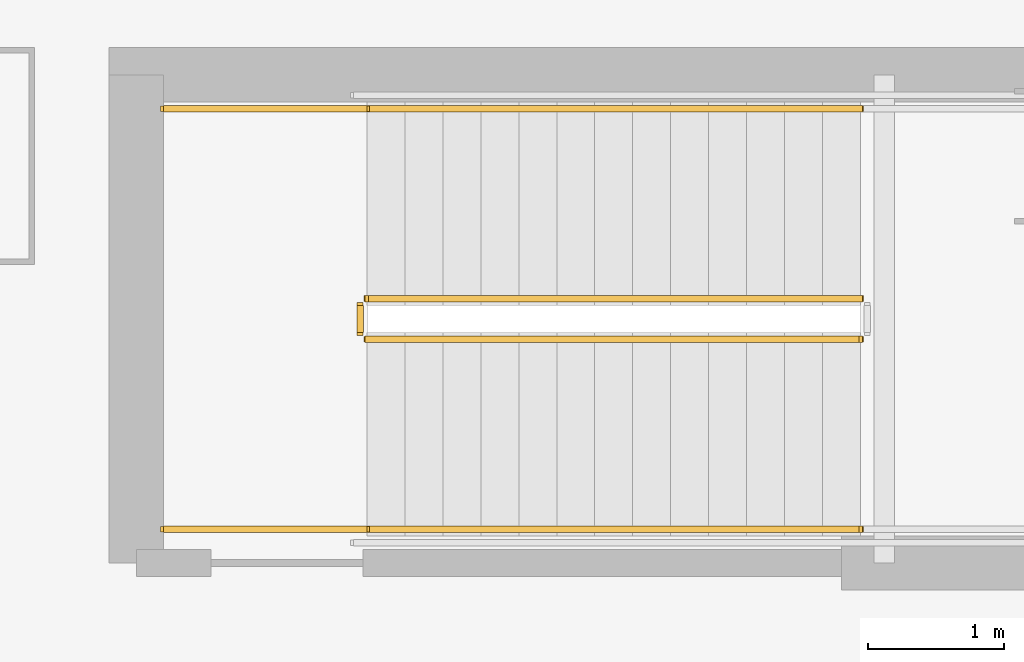
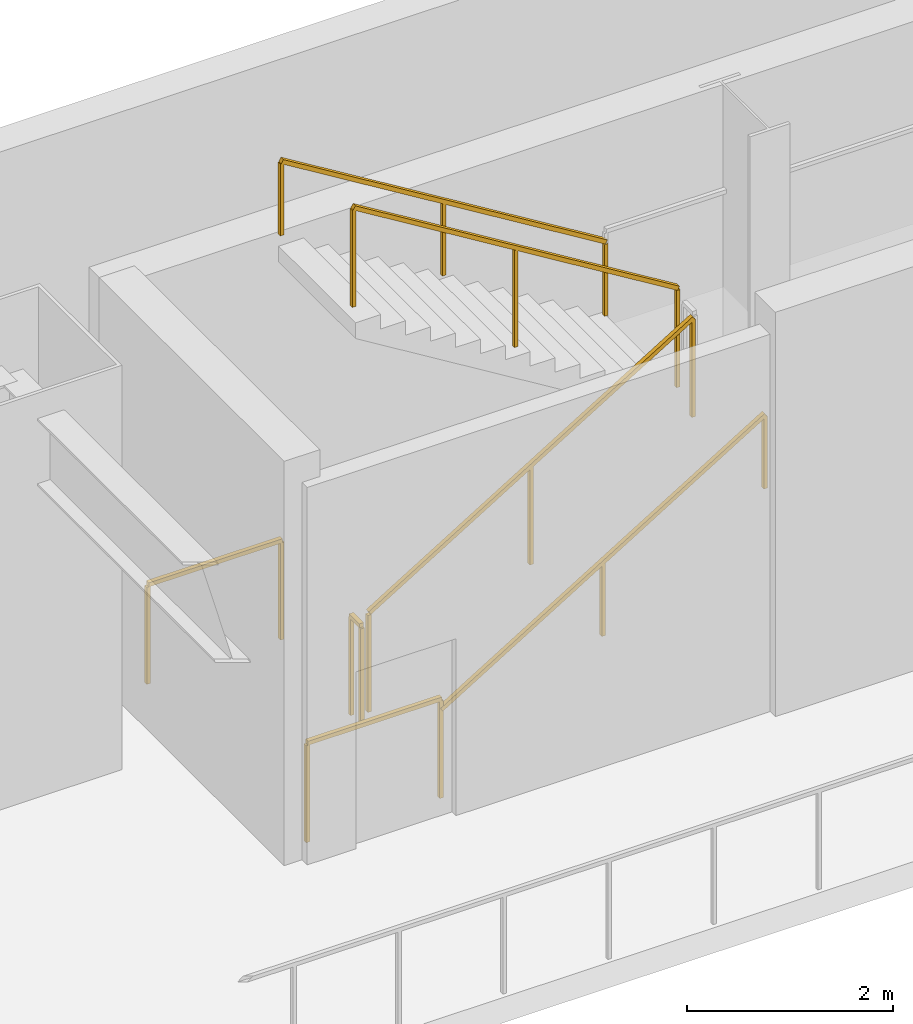
# One storey, part 23 of 28: 7 railings.
"""IFC4 building model written with IfcOpenShell, lengths in metres."""

from ifc_helpers import new_model, si_unit, direction, frame, origin, origin_2d, place, context, subcontext, project, spatial, rectangle, extrude, material, type_object, element, save


model = new_model("IFC4")

# Units and contexts
model_context = context("Model", 3, precision=1e-05, world=origin(), true_north=direction((0.0, 1.0)))
body_context = subcontext(model_context, "Body", "Model", "MODEL_VIEW")
ifc_project = project(units=[si_unit("LENGTHUNIT", "METRE"), si_unit("AREAUNIT", "SQUARE_METRE"), si_unit("VOLUMEUNIT", "CUBIC_METRE"), si_unit("PLANEANGLEUNIT", "RADIAN"), si_unit("MASSUNIT", "GRAM", prefix="KILO")], contexts=[model_context])

# Site, building, storey
site_placement = place(None, origin())
site = spatial("IfcSite", under=ifc_project, at=site_placement, CompositionType="ELEMENT")
building_placement = place(site_placement, origin())
building = spatial("IfcBuilding", under=site, at=building_placement, Name="Haevon Station Towers", CompositionType="ELEMENT")
storey_placement = place(building_placement, frame((0.0, 0.0, 10.800048828125)))
storey = spatial("IfcBuildingStorey", under=building, at=storey_placement, Name="L02", CompositionType="ELEMENT", Elevation=10.800048828125)

# Railings
ifc_material = material(Name="Steel S355", Category="steel")
railing_type_1 = type_object("IfcRailingType", Name="GRD-STR1200", PredefinedType="GUARDRAIL", material=ifc_material)
railing_1_placement = place(storey_placement, frame((68.0, 46.64990234375, 0.17138671875)))
element("IfcRailing", 1, at=railing_1_placement, inside=storey, type_object=railing_type_1, Name="L02 ST6 Stair Guard 1", PredefinedType="GUARDRAIL", context=body_context, shape_type="SweptSolid", body=[
    extrude(rectangle(XDim=0.048095703125, YDim=0.048095703125, at=origin_2d()), frame((0.0, 0.0, 1.17578125), z_axis=(0.852850264322, 0.0, 0.5221555579), x_axis=(0.0, 1.0, 0.0)), (0.0, 0.0, 1.0), 4.267822265625),
    extrude(rectangle(XDim=0.0419921875, YDim=0.0419921875, at=origin_2d()), origin(), (0.0, 0.0, 1.0), 1.15185546875),
    extrude(rectangle(XDim=0.0419921875, YDim=0.0419921875, at=origin_2d()), frame((1.81982421875, 0.0, 1.1142578125)), (0.0, 0.0, 1.0), 1.15185546875),
    extrude(rectangle(XDim=0.0419921875, YDim=0.0419921875, at=origin_2d()), frame((3.639892578125, 0.0, 2.228515625)), (0.0, 0.0, 1.0), 1.15185546875),
])
railing_2_placement = place(storey_placement, frame((71.639892578125, 46.949951171875, 2.5712890625)))
element("IfcRailing", 2, at=railing_2_placement, inside=storey, type_object=railing_type_1, Name="L02 ST6 Stair Guard 6", PredefinedType="GUARDRAIL", context=body_context, shape_type="SweptSolid", body=[
    extrude(rectangle(XDim=0.048095703125, YDim=0.048095703125, at=origin_2d()), frame((0.0, 0.0, 1.17578125), z_axis=(-0.852824790078, 0.0, 0.522197163366), x_axis=(0.0, -1.0, 0.0)), (0.0, 0.0, 1.0), 4.26806640625),
    extrude(rectangle(XDim=0.0419921875, YDim=0.0419921875, at=origin_2d()), origin(), (0.0, 0.0, 1.0), 1.15185546875),
    extrude(rectangle(XDim=0.0419921875, YDim=0.0419921875, at=origin_2d()), frame((-1.81982421875, 0.0, 1.1142578125)), (0.0, 0.0, 1.0), 1.15185546875),
    extrude(rectangle(XDim=0.0419921875, YDim=0.0419921875, at=origin_2d()), frame((-3.639892578125, 0.0, 2.228759765625)), (0.0, 0.0, 1.0), 1.15185546875),
])
railing_3_placement = place(storey_placement, frame((67.949951171875, 46.699951171875, 0.0)))
element("IfcRailing", 3, at=railing_3_placement, inside=storey, type_object=railing_type_1, Name="L02 ST6 Stair Guard 7", PredefinedType="GUARDRAIL", context=body_context, shape_type="SweptSolid", body=[
    extrude(rectangle(XDim=0.048095703125, YDim=0.048095703125, at=origin_2d()), frame((0.0, 0.0, 1.17578125), z_axis=(0.0, 1.0, 0.0), x_axis=(-1.0, 0.0, 0.0)), (0.0, 0.0, 1.0), 0.199951171875),
    extrude(rectangle(XDim=0.0419921875, YDim=0.0419921875, at=origin_2d()), origin(), (0.0, 0.0, 1.0), 1.15185546875),
    extrude(rectangle(XDim=0.0419921875, YDim=0.0419921875, at=origin_2d()), frame((0.0, 0.199951171875, 0.0)), (0.0, 0.0, 1.0), 1.15185546875),
])
for number, where, name in (
    (4, (66.5, 45.25, 0.0), "L02 ST6 Stair Guard 8"),
    (5, (66.5, 48.35009765625, 0.0), "L02 ST6 Stair Guard 9"),
):
    element("IfcRailing", number, at=place(storey_placement, frame(where)), inside=storey, type_object=railing_type_1, Name=name, PredefinedType="GUARDRAIL", context=body_context, shape_type="SweptSolid", body=[
        extrude(rectangle(XDim=0.048095703125, YDim=0.048095703125, at=origin_2d()), frame((0.0, 0.0, 1.17578125), z_axis=(1.0, 0.0, 0.0), x_axis=(0.0, 1.0, 0.0)), (0.0, 0.0, 1.0), 1.5),
        extrude(rectangle(XDim=0.0419921875, YDim=0.0419921875, at=origin_2d()), origin(), (0.0, 0.0, 1.0), 1.15185546875),
        extrude(rectangle(XDim=0.0419921875, YDim=0.0419921875, at=origin_2d()), frame((1.5, 0.0, 0.0)), (0.0, 0.0, 1.0), 1.15185546875),
    ])
railing_type_2 = type_object("IfcRailingType", Name="HND-STR900", PredefinedType="HANDRAIL", material=ifc_material)
railing_4_placement = place(storey_placement, frame((68.0, 45.25, 0.17138671875)))
element("IfcRailing", 6, at=railing_4_placement, inside=storey, type_object=railing_type_2, Name="L02 ST6 Stair Handrail 1", PredefinedType="HANDRAIL", context=body_context, shape_type="SweptSolid", body=[
    extrude(rectangle(XDim=0.048095703125, YDim=0.048095703125, at=origin_2d()), frame((0.0, 0.0, 0.8759765625), z_axis=(0.852850264322, 0.0, 0.5221555579), x_axis=(0.0, 1.0, 0.0)), (0.0, 0.0, 1.0), 4.267822265625),
    extrude(rectangle(XDim=0.0419921875, YDim=0.0419921875, at=origin_2d()), origin(), (0.0, 0.0, 1.0), 0.851806640625),
    extrude(rectangle(XDim=0.0419921875, YDim=0.0419921875, at=origin_2d()), frame((1.81982421875, 0.0, 1.1142578125)), (0.0, 0.0, 1.0), 0.851806640625),
    extrude(rectangle(XDim=0.0419921875, YDim=0.0419921875, at=origin_2d()), frame((3.639892578125, 0.0, 2.228515625)), (0.0, 0.0, 1.0), 0.851806640625),
])
railing_5_placement = place(storey_placement, frame((71.639892578125, 48.35009765625, 2.5712890625)))
element("IfcRailing", 7, at=railing_5_placement, inside=storey, type_object=railing_type_2, Name="L02 ST6 Stair Handrail 2", PredefinedType="HANDRAIL", context=body_context, shape_type="SweptSolid", body=[
    extrude(rectangle(XDim=0.048095703125, YDim=0.048095703125, at=origin_2d()), frame((0.0, 0.0, 0.8759765625), z_axis=(-0.852824790078, 0.0, 0.522197163366), x_axis=(0.0, -1.0, 0.0)), (0.0, 0.0, 1.0), 4.26806640625),
    extrude(rectangle(XDim=0.0419921875, YDim=0.0419921875, at=origin_2d()), origin(), (0.0, 0.0, 1.0), 0.851806640625),
    extrude(rectangle(XDim=0.0419921875, YDim=0.0419921875, at=origin_2d()), frame((-1.81982421875, 0.0, 1.1142578125)), (0.0, 0.0, 1.0), 0.851806640625),
    extrude(rectangle(XDim=0.0419921875, YDim=0.0419921875, at=origin_2d()), frame((-3.639892578125, 0.0, 2.228759765625)), (0.0, 0.0, 1.0), 0.851806640625),
])

save(model, "model.ifc")
